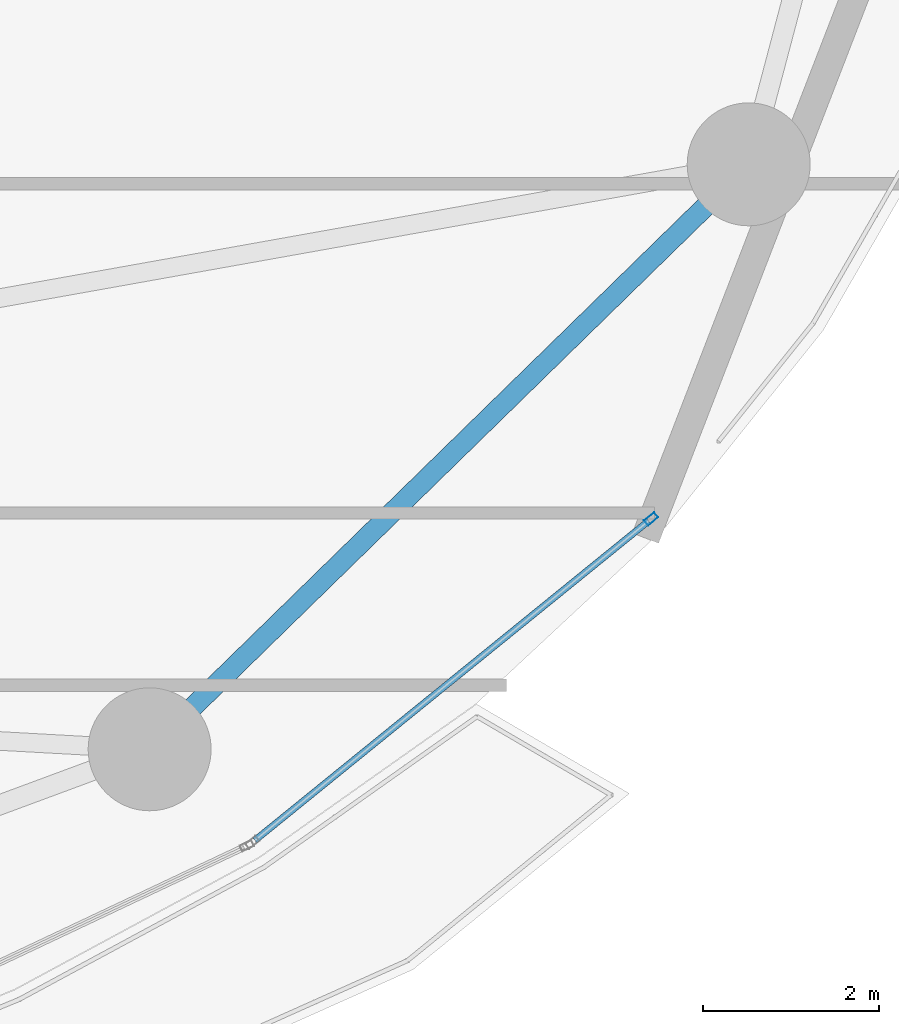
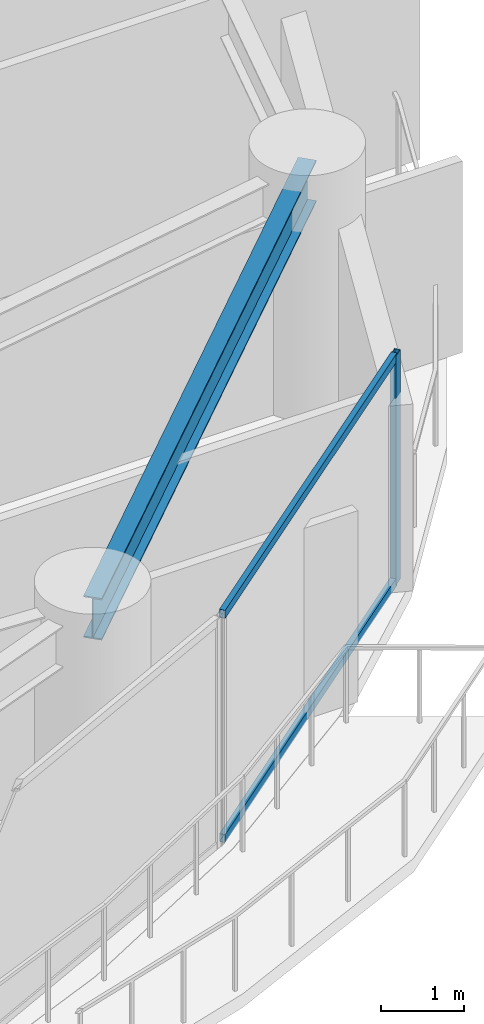
# One storey, part 15 of 30: 3 members, 1 beam, 1 element without a shape of its own.
"""IFC4 building model written with IfcOpenShell, lengths in metres."""

from ifc_helpers import new_model, si_unit, direction, frame, origin, origin_2d, place, context, subcontext, project, spatial, hollow_rectangle, i_section, extrude, material, layer, layer_set, material_profile, profile_set, type_object, element, aggregate, save


model = new_model("IFC4")

# Units and contexts
model_context = context("Model", 3, precision=1e-05, world=origin(), true_north=direction((0.0, 1.0)))
body_context = subcontext(model_context, "Body", "Model", "MODEL_VIEW")
ifc_project = project(units=[si_unit("LENGTHUNIT", "METRE"), si_unit("AREAUNIT", "SQUARE_METRE"), si_unit("VOLUMEUNIT", "CUBIC_METRE"), si_unit("PLANEANGLEUNIT", "RADIAN"), si_unit("MASSUNIT", "GRAM", prefix="KILO")], contexts=[model_context])

# Site, building, storey
site_placement = place(None, origin())
site = spatial("IfcSite", under=ifc_project, at=site_placement, CompositionType="ELEMENT")
building_placement = place(site_placement, origin())
building = spatial("IfcBuilding", under=site, at=building_placement, Name="Kazevale Care Tower and Concert Hall", CompositionType="ELEMENT")
storey_placement = place(building_placement, frame((0.0, 0.0, 70.800048828125)))
storey = spatial("IfcBuildingStorey", under=building, at=storey_placement, Name="L18", CompositionType="ELEMENT", Elevation=70.800048828125)

# Curtain wall, members
ifc_material_1 = material(Name="Aluminium 6063-T6 and Low-E Glass", Category="aluminium")
ifc_layer = layer(ifc_material_1, 0.179931640625)
ifc_layer_set = layer_set([ifc_layer], Name="Aluminium 6063-T6 and Low-E Glass")
curtain_wall_type = type_object("IfcCurtainWallType", Name="Sheltered Concave Balcony Curtain Wall CW-5", PredefinedType="NOTDEFINED", material=ifc_layer_set)
curtain_wall_placement = place(storey_placement, origin())
curtain_wall = element("IfcCurtainWall", 1, at=curtain_wall_placement, inside=storey, type_object=curtain_wall_type, Name="cw:L18:f02", PredefinedType="NOTDEFINED")
ifc_material_2 = material(Name="Aluminium 6063-T6", Category="aluminium")
ifc_material_profile_1 = material_profile(ifc_material_2, hollow_rectangle(XDim=0.074951171875, YDim=0.14990234375, WallThickness=0.00390625, at=origin_2d()), Name="ALU75x150x4")
ifc_profile_set_1 = profile_set([ifc_material_profile_1], Name="Aluminium 6063-T6")
member_type_1 = type_object("IfcMemberType", Name="CW-5 Mullion ALU75x150x4", PredefinedType="MULLION", material=ifc_profile_set_1)
member_1_placement = place(storey_placement, frame((72.949951171875, 24.933349609375, 0.0), z_axis=(0.0, 0.0, 1.0), x_axis=(0.629994732952, -0.77659940539, 0.0)))
member_1 = element("IfcMember", 2, at=member_1_placement, type_object=member_type_1, Name="CW-5 mullion 1", PredefinedType="MULLION", context=body_context, shape_type="SweptSolid", body=[
    extrude(hollow_rectangle(XDim=0.074951171875, YDim=0.14990234375, WallThickness=0.00390625, at=origin_2d()), origin(), (0.0, 0.0, 1.0), 3.35986328125),
])
ifc_material_profile_2 = material_profile(ifc_material_2, hollow_rectangle(XDim=0.074951171875, YDim=0.1201171875, WallThickness=0.00390625, at=origin_2d()), Name="ALU75x120x4")
ifc_profile_set_2 = profile_set([ifc_material_profile_2], Name="Aluminium 6063-T6")
member_type_2 = type_object("IfcMemberType", Name="CW-5 Transom ALU75x120x4", PredefinedType="USERDEFINED", material=ifc_profile_set_2)
member_2_placement = place(storey_placement, frame((72.920654296875, 24.90966796875, 0.037353515625), z_axis=(-0.77659518273, -0.629999938223, 0.0), x_axis=(0.629999938223, -0.77659518273, 0.0)))
member_2 = element("IfcMember", 3, at=member_2_placement, type_object=member_type_2, Name="CW-5 transom 1.1", ObjectType="TRANSOM", PredefinedType="USERDEFINED", context=body_context, shape_type="SweptSolid", body=[
    extrude(hollow_rectangle(XDim=0.074951171875, YDim=0.1201171875, WallThickness=0.00390625, at=origin_2d()), origin(), (0.0, 0.0, 1.0), 5.770751953125),
])
member_3_placement = place(storey_placement, frame((72.920654296875, 24.90966796875, 3.322509765625), z_axis=(-0.77659518273, -0.629999938223, 0.0), x_axis=(0.629999938223, -0.77659518273, 0.0)))
member_3 = element("IfcMember", 4, at=member_3_placement, type_object=member_type_2, Name="CW-5 transom 1.2", ObjectType="TRANSOM", PredefinedType="USERDEFINED", context=body_context, shape_type="SweptSolid", body=[
    extrude(hollow_rectangle(XDim=0.074951171875, YDim=0.1201171875, WallThickness=0.00390625, at=origin_2d()), origin(), (0.0, 0.0, 1.0), 5.770751953125),
])
aggregate(curtain_wall, [member_1, member_2, member_3])

# Beam
ifc_material_3 = material(Name="Steel ASTM A572 Gr 50", Category="steel")
ifc_material_profile_3 = material_profile(ifc_material_3, i_section(OverallWidth=0.22900390625, OverallDepth=0.612060546875, WebThickness=0.011962890625, FlangeThickness=0.01953125, at=origin_2d()), Name="W610x125")
ifc_profile_set_3 = profile_set([ifc_material_profile_3], Name="Steel ASTM A572 Gr 50")
beam_type = type_object("IfcBeamType", Name="Ring Spandrel Beam W610x125", PredefinedType="SPANDREL", material=ifc_profile_set_3)
beam_placement = place(storey_placement, frame((67.239990234375, 22.31005859375, 3.053955078125), z_axis=(0.715457453508, 0.698656304788, 0.0), x_axis=(-0.698656304788, 0.715457453508, 0.0)))
element("IfcBeam", 5, at=beam_placement, inside=storey, type_object=beam_type, Name="beam:L18:ring:15", PredefinedType="SPANDREL", context=body_context, shape_type="SweptSolid", body=[
    extrude(i_section(OverallWidth=0.22900390625, OverallDepth=0.612060546875, WebThickness=0.011962890625, FlangeThickness=0.01953125, at=origin_2d()), origin(), (0.0, 0.0, 1.0), 9.532470703125),
])

save(model, "model.ifc")
